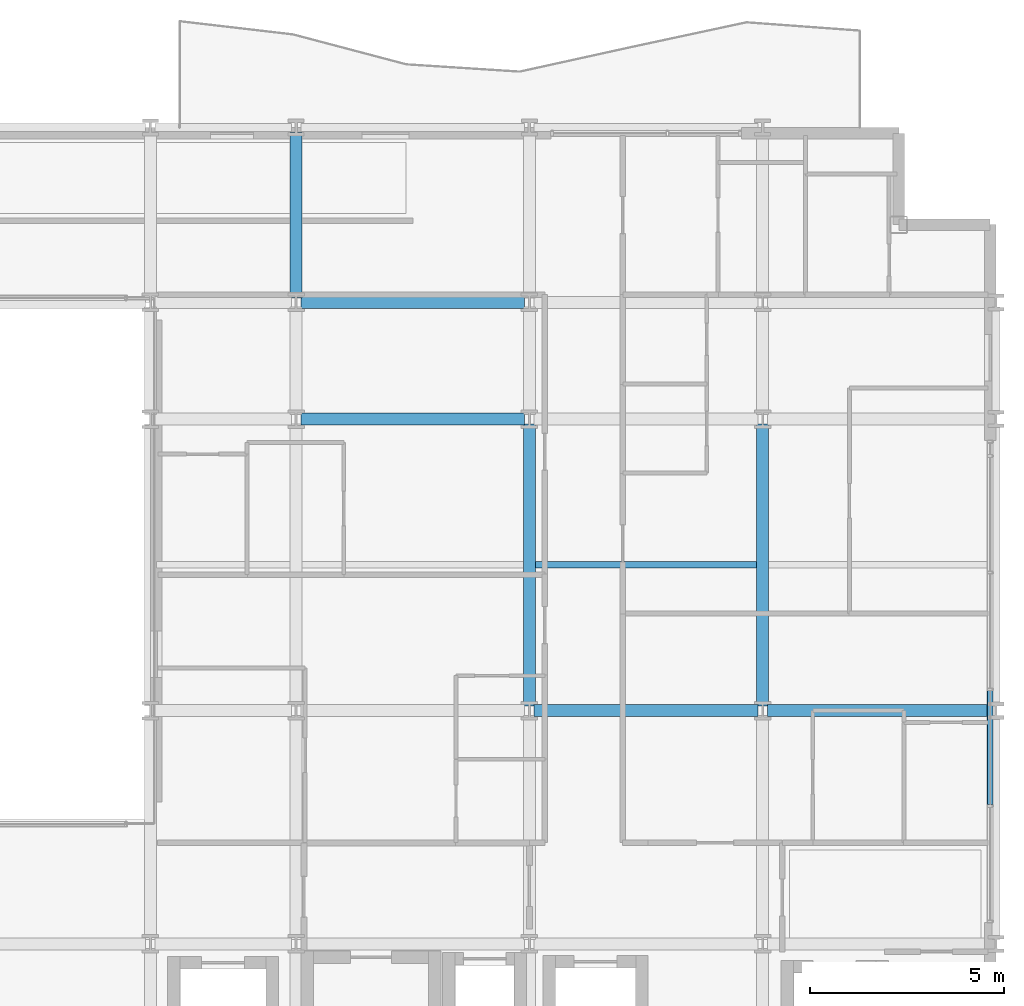
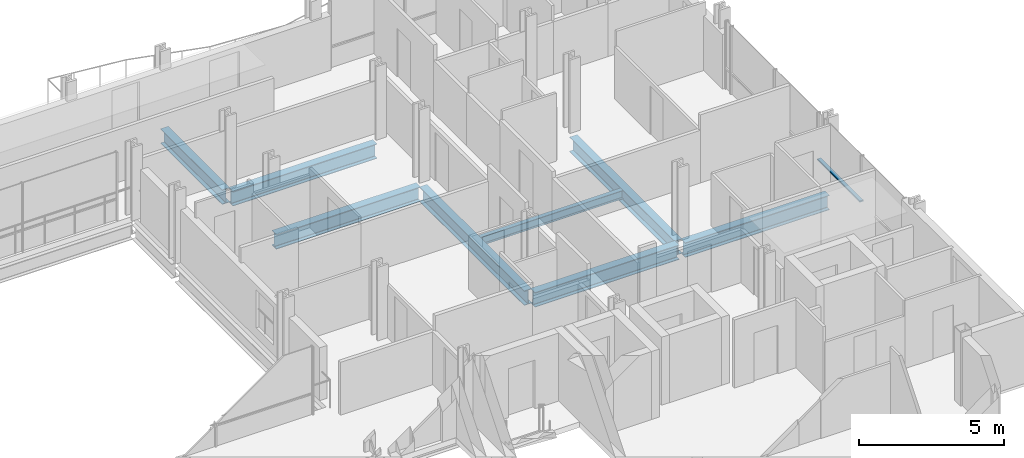
# One storey, part 18 of 41: 8 beams, 1 member, 1 element without a shape of its own.
"""IFC4 building model written with IfcOpenShell, lengths in metres."""

from ifc_helpers import new_model, si_unit, direction, frame, origin, origin_2d, place, context, subcontext, project, spatial, hollow_rectangle, i_section, extrude, material, layer, layer_set, material_profile, profile_set, type_object, element, aggregate, save


model = new_model("IFC4")

# Units and contexts
model_context = context("Model", 3, precision=1e-05, world=origin(), true_north=direction((0.0, 1.0)))
body_context = subcontext(model_context, "Body", "Model", "MODEL_VIEW")
ifc_project = project(units=[si_unit("LENGTHUNIT", "METRE"), si_unit("AREAUNIT", "SQUARE_METRE"), si_unit("VOLUMEUNIT", "CUBIC_METRE"), si_unit("PLANEANGLEUNIT", "RADIAN"), si_unit("MASSUNIT", "GRAM", prefix="KILO")], contexts=[model_context])

# Site, building, storey
site_placement = place(None, origin())
site = spatial("IfcSite", under=ifc_project, at=site_placement, CompositionType="ELEMENT")
building_placement = place(site_placement, origin())
building = spatial("IfcBuilding", under=site, at=building_placement, Name="Brevholm Reach", CompositionType="ELEMENT")
storey_placement = place(building_placement, frame((0.0, 0.0, 49.699951171875)))
storey = spatial("IfcBuildingStorey", under=building, at=storey_placement, Name="L13", CompositionType="ELEMENT", Elevation=49.699951171875)

# Beams
ifc_material_1 = material(Name="Structural Steel S355J2", Category="steel")
ifc_material_profile_1 = material_profile(ifc_material_1, i_section(OverallWidth=0.17138671875, OverallDepth=0.35498046875, WebThickness=0.00732421875, FlangeThickness=0.011474609375, FilletRadius=0.01025390625, at=origin_2d()), Name="UKB 356x171x51")
ifc_profile_set_1 = profile_set([ifc_material_profile_1], Name="Structural Steel S355J2")
beam_type_1 = type_object("IfcBeamType", Name="BM-B356", PredefinedType="BEAM", material=ifc_profile_set_1)
beam_1_placement = place(storey_placement, frame((48.153564453125, 19.75, -0.407470703125), z_axis=(1.0, 0.0, 0.0), x_axis=(0.0, 1.0, 0.0)))
element("IfcBeam", 1, at=beam_1_placement, inside=storey, type_object=beam_type_1, Name="L13 Composite Secondary Floor Beam", PredefinedType="BEAM", context=body_context, shape_type="SweptSolid", body=[
    extrude(i_section(OverallWidth=0.17138671875, OverallDepth=0.35498046875, WebThickness=0.00732421875, FlangeThickness=0.011474609375, FilletRadius=0.01025390625, at=origin_2d()), origin(), (0.0, 0.0, 1.0), 5.69287109375),
])
ifc_material_2 = material(Name="Structural Steel S355J2", Category="steel")
ifc_material_profile_2 = material_profile(ifc_material_2, i_section(OverallWidth=0.30712890625, OverallDepth=0.6201171875, WebThickness=0.01416015625, FlangeThickness=0.023681640625, FilletRadius=0.0166015625, at=origin_2d()), Name="UKB 610x305x179")
ifc_profile_set_2 = profile_set([ifc_material_profile_2], Name="Structural Steel S355J2")
beam_type_2 = type_object("IfcBeamType", Name="BM-UKB610H", PredefinedType="USERDEFINED", material=ifc_profile_set_2)
for number, where, z_axis, x_axis, name in (
    (2, (48.1201171875, 16.0, -0.5400390625), (1.0, 0.0, 0.0), (0.0, 1.0, 0.0), "L13 G-06 Framing Beam"),
    (3, (54.1201171875, 16.0, -0.5400390625), (1.0, 0.0, 0.0), (0.0, 1.0, 0.0), "L13 G-06 Framing Beam"),
    (4, (42.1201171875, 23.5, -0.5400390625), (1.0, 0.0, 0.0), (0.0, 1.0, 0.0), "L13 G-06 Framing Beam"),
    (5, (42.1201171875, 26.5, -0.5400390625), (1.0, 0.0, 0.0), (0.0, 1.0, 0.0), "L13 G-06 Framing Beam"),
):
    element("IfcBeam", number, at=place(storey_placement, frame(where, z_axis=z_axis, x_axis=x_axis)), inside=storey, type_object=beam_type_2, Name=name, ObjectType="GIRDER", PredefinedType="USERDEFINED", context=body_context, shape_type="SweptSolid", body=[
        extrude(i_section(OverallWidth=0.30712890625, OverallDepth=0.6201171875, WebThickness=0.01416015625, FlangeThickness=0.023681640625, FilletRadius=0.0166015625, at=origin_2d()), origin(), (0.0, 0.0, 1.0), 5.759765625),
    ])
beam_2_placement = place(storey_placement, frame((42.0, 26.6201171875, -0.5400390625), z_axis=(0.0, 1.0, 0.0), x_axis=(-1.0, 0.0, 0.0)))
element("IfcBeam", 6, at=beam_2_placement, inside=storey, type_object=beam_type_2, Name="L13 G-06 Framing Beam", ObjectType="GIRDER", PredefinedType="USERDEFINED", context=body_context, shape_type="SweptSolid", body=[
    extrude(i_section(OverallWidth=0.30712890625, OverallDepth=0.6201171875, WebThickness=0.01416015625, FlangeThickness=0.023681640625, FilletRadius=0.0166015625, at=origin_2d()), origin(), (0.0, 0.0, 1.0), 4.259765625),
])
for number, where, z_axis, x_axis, name in (
    (7, (48.0, 16.1201171875, -0.5400390625), (0.0, 1.0, 0.0), (-1.0, 0.0, 0.0), "L13 G-06 Framing Beam"),
    (8, (54.0, 16.1201171875, -0.5400390625), (0.0, 1.0, 0.0), (-1.0, 0.0, 0.0), "L13 G-06 Framing Beam"),
):
    element("IfcBeam", number, at=place(storey_placement, frame(where, z_axis=z_axis, x_axis=x_axis)), inside=storey, type_object=beam_type_2, Name=name, ObjectType="GIRDER", PredefinedType="USERDEFINED", context=body_context, shape_type="SweptSolid", body=[
        extrude(i_section(OverallWidth=0.30712890625, OverallDepth=0.6201171875, WebThickness=0.01416015625, FlangeThickness=0.023681640625, FilletRadius=0.0166015625, at=origin_2d()), origin(), (0.0, 0.0, 1.0), 7.259765625),
    ])

# Curtain wall, member
ifc_material_3 = material(Name="Dark Anodised Aluminium 6063-T6 and Solar-Control Glass", Category="aluminium")
ifc_layer = layer(ifc_material_3, 0.14990234375)
ifc_layer_set = layer_set([ifc_layer], Name="Dark Anodised Aluminium 6063-T6 and Solar-Control Glass")
curtain_wall_type = type_object("IfcCurtainWallType", Name="CW-01", PredefinedType="NOTDEFINED", material=ifc_layer_set)
curtain_wall_placement = place(storey_placement, origin())
curtain_wall = element("IfcCurtainWall", 9, at=curtain_wall_placement, inside=storey, type_object=curtain_wall_type, Name="L13 Curtain Wall CW-01", PredefinedType="NOTDEFINED")
ifc_material_4 = material(Name="Dark Anodised Aluminium 6063-T6", Category="aluminium")
ifc_material_profile_3 = material_profile(ifc_material_4, hollow_rectangle(XDim=0.06494140625, YDim=0.14990234375, WallThickness=0.0048828125, InnerFilletRadius=0.0048828125, OuterFilletRadius=0.010009765625, at=origin_2d()), Name="RHS 150x65x5")
ifc_profile_set_3 = profile_set([ifc_material_profile_3], Name="Dark Anodised Aluminium 6063-T6")
member_type = type_object("IfcMemberType", Name="CWT-150", PredefinedType="NOTDEFINED", material=ifc_profile_set_3)
member_placement = place(storey_placement, frame((59.85009765625, 13.58251953125, 0.900146484375), z_axis=(0.0, 1.0, 0.0), x_axis=(0.0, 0.0, 1.0)))
member = element("IfcMember", 10, at=member_placement, type_object=member_type, Name="CT-150 Transom 2.1", ObjectType="TRANSOM", PredefinedType="USERDEFINED", context=body_context, shape_type="SweptSolid", body=[
    extrude(hollow_rectangle(XDim=0.06494140625, YDim=0.14990234375, WallThickness=0.0048828125, InnerFilletRadius=0.0048828125, OuterFilletRadius=0.010009765625, at=origin_2d()), origin(), (0.0, 0.0, 1.0), 2.93505859375),
])
aggregate(curtain_wall, [member])

save(model, "model.ifc")
